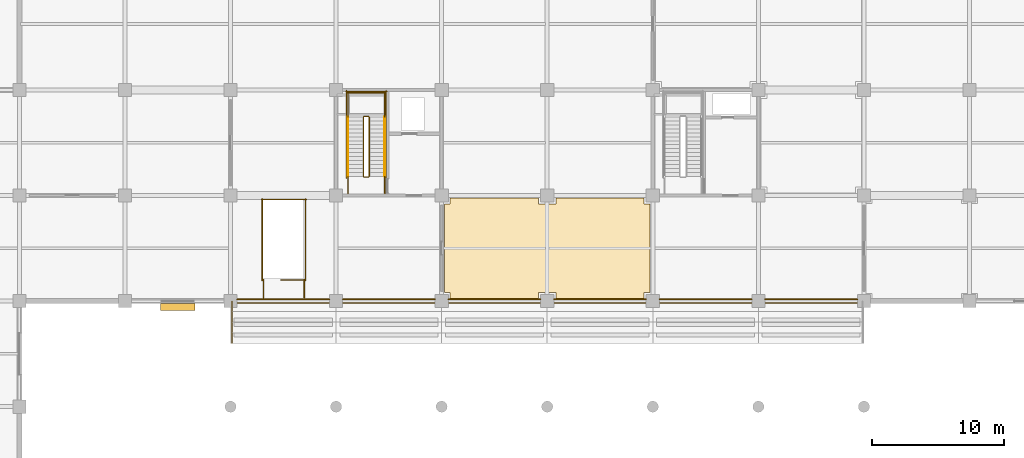
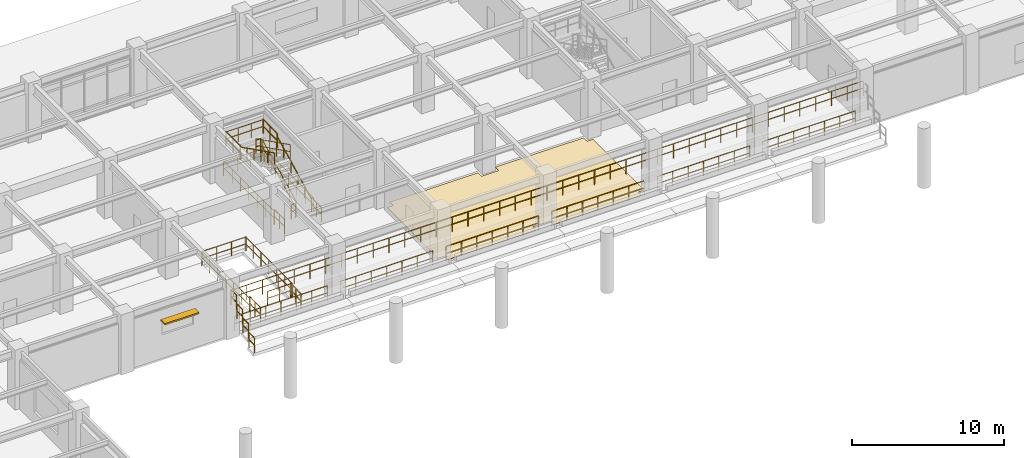
# One storey, part 115 of 117: 31 railings, 1 covering, 1 shading device.
"""IFC4 building model written with IfcOpenShell, lengths in metres."""

from ifc_helpers import new_model, si_unit, direction, frame, origin, origin_2d, place, context, subcontext, project, spatial, polyline, rectangle, circle, outline, extrude, material, layer, layer_set, type_object, element, save


model = new_model("IFC4")

# Units and contexts
model_context = context("Model", 3, precision=1e-05, world=origin(), true_north=direction((0.0, 1.0)))
body_context = subcontext(model_context, "Body", "Model", "MODEL_VIEW")
ifc_project = project(units=[si_unit("LENGTHUNIT", "METRE"), si_unit("AREAUNIT", "SQUARE_METRE"), si_unit("VOLUMEUNIT", "CUBIC_METRE"), si_unit("PLANEANGLEUNIT", "RADIAN"), si_unit("MASSUNIT", "GRAM", prefix="KILO")], contexts=[model_context])

# Site, building, storey
site_placement = place(None, origin())
site = spatial("IfcSite", under=ifc_project, at=site_placement, CompositionType="ELEMENT")
building_placement = place(site_placement, origin())
building = spatial("IfcBuilding", under=site, at=building_placement, Name="Haebicheon Civic Stadium", CompositionType="ELEMENT")
storey_placement = place(building_placement, frame((0.0, 0.0, 4.800048828125)))
storey = spatial("IfcBuildingStorey", under=building, at=storey_placement, Name="L02", CompositionType="ELEMENT", Elevation=4.800048828125)

# Covering
ifc_material_1 = material(Name="Quartz epoxy resin mortar", Category="concrete")
ifc_layer_1 = layer(ifc_material_1, 0.030029296875, Name="Quartz epoxy resin mortar")
ifc_layer_set_1 = layer_set([ifc_layer_1], Name="Quartz epoxy resin mortar")
covering_type = type_object("IfcCoveringType", Name="COV-FLR-EPX", PredefinedType="FLOORING", material=ifc_layer_set_1)
covering_placement = place(storey_placement, origin())
element("IfcCovering", 1, at=covering_placement, inside=storey, type_object=covering_type, material=ifc_layer_set_1, Name="L02 Merchandise Kiosk non-slip floor finish", PredefinedType="FLOORING", context=body_context, shape_type="SweptSolid", body=[
    extrude(outline(polyline([(96.199951171875, 159.35009765625), (96.64990234375, 159.35009765625), (96.64990234375, 159.800048828125), (103.35009765625, 159.800048828125), (103.35009765625, 159.35009765625), (104.64990234375, 159.35009765625), (104.64990234375, 159.800048828125), (111.35009765625, 159.800048828125), (111.35009765625, 159.35009765625), (111.800048828125, 159.35009765625), (111.800048828125, 152.64990234375), (111.35009765625, 152.64990234375), (111.35009765625, 152.199951171875), (104.64990234375, 152.199951171875), (104.64990234375, 152.64990234375), (103.35009765625, 152.64990234375), (103.35009765625, 152.199951171875), (96.64990234375, 152.199951171875), (96.64990234375, 152.64990234375), (96.199951171875, 152.64990234375), (96.199951171875, 159.35009765625)])), origin(), (0.0, 0.0, 1.0), 0.030029296875),
])

# Railings
ifc_material_2 = material(Name="Stainless steel 316 and laminated glass", Category="steel")
railing_type_1 = type_object("IfcRailingType", Name="RL-BAL-1200", PredefinedType="BALUSTRADE", material=ifc_material_2)
for number, where, name in (
    (2, (80.5, 152.139892578125, 0.0), "L02 concourse bowl-edge balustrade 013"),
    (3, (88.5, 152.139892578125, 0.0), "L02 concourse bowl-edge balustrade 015"),
    (4, (96.5, 152.139892578125, 0.0), "L02 concourse bowl-edge balustrade 017"),
    (5, (104.5, 152.139892578125, 0.0), "L02 concourse bowl-edge balustrade 019"),
    (6, (112.5, 152.139892578125, 0.0), "L02 concourse bowl-edge balustrade 021"),
    (7, (120.5, 152.139892578125, 0.0), "L02 concourse bowl-edge balustrade 023"),
):
    element("IfcRailing", number, at=place(storey_placement, frame(where)), inside=storey, type_object=railing_type_1, material=ifc_material_2, Name=name, PredefinedType="BALUSTRADE", context=body_context, shape_type="SweptSolid", body=[
        extrude(circle(Radius=0.02392578125, at=origin_2d()), frame((0.0, 0.0, 1.17578125), z_axis=(1.0, 0.0, 0.0), x_axis=(0.0, 1.0, 0.0)), (0.0, 0.0, 1.0), 7.0),
        extrude(circle(Radius=0.02392578125, at=origin_2d()), frame((0.0, 0.0, 0.60009765625), z_axis=(1.0, 0.0, 0.0), x_axis=(0.0, 1.0, 0.0)), (0.0, 0.0, 1.0), 7.0),
        extrude(circle(Radius=0.02099609375, at=origin_2d()), origin(), (0.0, 0.0, 1.0), 1.15185546875),
        extrude(circle(Radius=0.02099609375, at=origin_2d()), frame((1.166748046875, 0.0, 0.0)), (0.0, 0.0, 1.0), 1.15185546875),
        extrude(circle(Radius=0.02099609375, at=origin_2d()), frame((2.333251953125, 0.0, 0.0)), (0.0, 0.0, 1.0), 1.15185546875),
        extrude(circle(Radius=0.02099609375, at=origin_2d()), frame((3.5, 0.0, 0.0)), (0.0, 0.0, 1.0), 1.15185546875),
        extrude(circle(Radius=0.02099609375, at=origin_2d()), frame((4.666748046875, 0.0, 0.0)), (0.0, 0.0, 1.0), 1.15185546875),
        extrude(circle(Radius=0.02099609375, at=origin_2d()), frame((5.833251953125, 0.0, 0.0)), (0.0, 0.0, 1.0), 1.15185546875),
        extrude(circle(Radius=0.02099609375, at=origin_2d()), frame((7.0, 0.0, 0.0)), (0.0, 0.0, 1.0), 1.15185546875),
    ])
railing_1_placement = place(storey_placement, frame((80.06005859375, 151.8798828125, 2.39990234375)))
element("IfcRailing", 8, at=railing_1_placement, inside=storey, type_object=railing_type_1, material=ifc_material_2, Name="TIER-N-L upper gangway balustrade", PredefinedType="BALUSTRADE", context=body_context, shape_type="SweptSolid", body=[
    extrude(circle(Radius=0.02392578125, at=origin_2d()), frame((0.0, 0.0, 1.17578125), z_axis=(1.0, 0.0, 0.0), x_axis=(0.0, 1.0, 0.0)), (0.0, 0.0, 1.0), 47.8798828125),
    extrude(circle(Radius=0.02392578125, at=origin_2d()), frame((0.0, 0.0, 0.60009765625), z_axis=(1.0, 0.0, 0.0), x_axis=(0.0, 1.0, 0.0)), (0.0, 0.0, 1.0), 47.8798828125),
    extrude(circle(Radius=0.02099609375, at=origin_2d()), origin(), (0.0, 0.0, 1.0), 1.15185546875),
    extrude(circle(Radius=0.02099609375, at=origin_2d()), frame((1.197021484375, 0.0, 0.0)), (0.0, 0.0, 1.0), 1.15185546875),
    extrude(circle(Radius=0.02099609375, at=origin_2d()), frame((2.39404296875, 0.0, 0.0)), (0.0, 0.0, 1.0), 1.15185546875),
    extrude(circle(Radius=0.02099609375, at=origin_2d()), frame((3.591064453125, 0.0, 0.0)), (0.0, 0.0, 1.0), 1.15185546875),
    extrude(circle(Radius=0.02099609375, at=origin_2d()), frame((4.7880859375, 0.0, 0.0)), (0.0, 0.0, 1.0), 1.15185546875),
    extrude(circle(Radius=0.02099609375, at=origin_2d()), frame((5.98486328125, 0.0, 0.0)), (0.0, 0.0, 1.0), 1.15185546875),
    extrude(circle(Radius=0.02099609375, at=origin_2d()), frame((7.181884765625, 0.0, 0.0)), (0.0, 0.0, 1.0), 1.15185546875),
    extrude(circle(Radius=0.02099609375, at=origin_2d()), frame((8.37890625, 0.0, 0.0)), (0.0, 0.0, 1.0), 1.15185546875),
    extrude(circle(Radius=0.02099609375, at=origin_2d()), frame((9.575927734375, 0.0, 0.0)), (0.0, 0.0, 1.0), 1.15185546875),
    extrude(circle(Radius=0.02099609375, at=origin_2d()), frame((10.77294921875, 0.0, 0.0)), (0.0, 0.0, 1.0), 1.15185546875),
    extrude(circle(Radius=0.02099609375, at=origin_2d()), frame((11.969970703125, 0.0, 0.0)), (0.0, 0.0, 1.0), 1.15185546875),
    extrude(circle(Radius=0.02099609375, at=origin_2d()), frame((13.1669921875, 0.0, 0.0)), (0.0, 0.0, 1.0), 1.15185546875),
    extrude(circle(Radius=0.02099609375, at=origin_2d()), frame((14.364013671875, 0.0, 0.0)), (0.0, 0.0, 1.0), 1.15185546875),
    extrude(circle(Radius=0.02099609375, at=origin_2d()), frame((15.56103515625, 0.0, 0.0)), (0.0, 0.0, 1.0), 1.15185546875),
    extrude(circle(Radius=0.02099609375, at=origin_2d()), frame((16.758056640625, 0.0, 0.0)), (0.0, 0.0, 1.0), 1.15185546875),
    extrude(circle(Radius=0.02099609375, at=origin_2d()), frame((17.955078125, 0.0, 0.0)), (0.0, 0.0, 1.0), 1.15185546875),
    extrude(circle(Radius=0.02099609375, at=origin_2d()), frame((19.15185546875, 0.0, 0.0)), (0.0, 0.0, 1.0), 1.15185546875),
    extrude(circle(Radius=0.02099609375, at=origin_2d()), frame((20.348876953125, 0.0, 0.0)), (0.0, 0.0, 1.0), 1.15185546875),
    extrude(circle(Radius=0.02099609375, at=origin_2d()), frame((21.5458984375, 0.0, 0.0)), (0.0, 0.0, 1.0), 1.15185546875),
    extrude(circle(Radius=0.02099609375, at=origin_2d()), frame((22.742919921875, 0.0, 0.0)), (0.0, 0.0, 1.0), 1.15185546875),
    extrude(circle(Radius=0.02099609375, at=origin_2d()), frame((23.93994140625, 0.0, 0.0)), (0.0, 0.0, 1.0), 1.15185546875),
    extrude(circle(Radius=0.02099609375, at=origin_2d()), frame((25.136962890625, 0.0, 0.0)), (0.0, 0.0, 1.0), 1.15185546875),
    extrude(circle(Radius=0.02099609375, at=origin_2d()), frame((26.333984375, 0.0, 0.0)), (0.0, 0.0, 1.0), 1.15185546875),
    extrude(circle(Radius=0.02099609375, at=origin_2d()), frame((27.531005859375, 0.0, 0.0)), (0.0, 0.0, 1.0), 1.15185546875),
    extrude(circle(Radius=0.02099609375, at=origin_2d()), frame((28.72802734375, 0.0, 0.0)), (0.0, 0.0, 1.0), 1.15185546875),
    extrude(circle(Radius=0.02099609375, at=origin_2d()), frame((29.9248046875, 0.0, 0.0)), (0.0, 0.0, 1.0), 1.15185546875),
    extrude(circle(Radius=0.02099609375, at=origin_2d()), frame((31.121826171875, 0.0, 0.0)), (0.0, 0.0, 1.0), 1.15185546875),
    extrude(circle(Radius=0.02099609375, at=origin_2d()), frame((32.31884765625, 0.0, 0.0)), (0.0, 0.0, 1.0), 1.15185546875),
    extrude(circle(Radius=0.02099609375, at=origin_2d()), frame((33.515869140625, 0.0, 0.0)), (0.0, 0.0, 1.0), 1.15185546875),
    extrude(circle(Radius=0.02099609375, at=origin_2d()), frame((34.712890625, 0.0, 0.0)), (0.0, 0.0, 1.0), 1.15185546875),
    extrude(circle(Radius=0.02099609375, at=origin_2d()), frame((35.909912109375, 0.0, 0.0)), (0.0, 0.0, 1.0), 1.15185546875),
    extrude(circle(Radius=0.02099609375, at=origin_2d()), frame((37.10693359375, 0.0, 0.0)), (0.0, 0.0, 1.0), 1.15185546875),
    extrude(circle(Radius=0.02099609375, at=origin_2d()), frame((38.303955078125, 0.0, 0.0)), (0.0, 0.0, 1.0), 1.15185546875),
    extrude(circle(Radius=0.02099609375, at=origin_2d()), frame((39.5009765625, 0.0, 0.0)), (0.0, 0.0, 1.0), 1.15185546875),
    extrude(circle(Radius=0.02099609375, at=origin_2d()), frame((40.697998046875, 0.0, 0.0)), (0.0, 0.0, 1.0), 1.15185546875),
    extrude(circle(Radius=0.02099609375, at=origin_2d()), frame((41.89501953125, 0.0, 0.0)), (0.0, 0.0, 1.0), 1.15185546875),
    extrude(circle(Radius=0.02099609375, at=origin_2d()), frame((43.091796875, 0.0, 0.0)), (0.0, 0.0, 1.0), 1.15185546875),
    extrude(circle(Radius=0.02099609375, at=origin_2d()), frame((44.288818359375, 0.0, 0.0)), (0.0, 0.0, 1.0), 1.15185546875),
    extrude(circle(Radius=0.02099609375, at=origin_2d()), frame((45.48583984375, 0.0, 0.0)), (0.0, 0.0, 1.0), 1.15185546875),
    extrude(circle(Radius=0.02099609375, at=origin_2d()), frame((46.682861328125, 0.0, 0.0)), (0.0, 0.0, 1.0), 1.15185546875),
    extrude(circle(Radius=0.02099609375, at=origin_2d()), frame((47.8798828125, 0.0, 0.0)), (0.0, 0.0, 1.0), 1.15185546875),
])
railing_2_placement = place(storey_placement, frame((80.10009765625, 148.840087890625, 0.39990234375)))
element("IfcRailing", 9, at=railing_2_placement, inside=storey, type_object=railing_type_1, material=ifc_material_2, Name="TIER-N-L end-aisle side guard W.7", PredefinedType="BALUSTRADE", context=body_context, shape_type="SweptSolid", body=[
    extrude(circle(Radius=0.02392578125, at=origin_2d()), frame((0.0, 0.0, 1.17578125), z_axis=(0.0, 1.0, 0.0), x_axis=(-1.0, 0.0, 0.0)), (0.0, 0.0, 1.0), 0.719970703125),
    extrude(circle(Radius=0.02392578125, at=origin_2d()), frame((0.0, 0.0, 0.60009765625), z_axis=(0.0, 1.0, 0.0), x_axis=(-1.0, 0.0, 0.0)), (0.0, 0.0, 1.0), 0.719970703125),
    extrude(circle(Radius=0.02099609375, at=origin_2d()), origin(), (0.0, 0.0, 1.0), 1.15185546875),
    extrude(circle(Radius=0.02099609375, at=origin_2d()), frame((0.0, 0.719970703125, 0.0)), (0.0, 0.0, 1.0), 1.15185546875),
])
railing_3_placement = place(storey_placement, frame((80.10009765625, 149.639892578125, 1.06689453125)))
element("IfcRailing", 10, at=railing_3_placement, inside=storey, type_object=railing_type_1, material=ifc_material_2, Name="TIER-N-L end-aisle side guard W.8", PredefinedType="BALUSTRADE", context=body_context, shape_type="SweptSolid", body=[
    extrude(circle(Radius=0.02392578125, at=origin_2d()), frame((0.0, 0.0, 1.17578125), z_axis=(0.0, 1.0, 0.0), x_axis=(-1.0, 0.0, 0.0)), (0.0, 0.0, 1.0), 0.72021484375),
    extrude(circle(Radius=0.02392578125, at=origin_2d()), frame((0.0, 0.0, 0.60009765625), z_axis=(0.0, 1.0, 0.0), x_axis=(-1.0, 0.0, 0.0)), (0.0, 0.0, 1.0), 0.72021484375),
    extrude(circle(Radius=0.02099609375, at=origin_2d()), origin(), (0.0, 0.0, 1.0), 1.15185546875),
    extrude(circle(Radius=0.02099609375, at=origin_2d()), frame((0.0, 0.72021484375, 0.0)), (0.0, 0.0, 1.0), 1.15185546875),
])
for number, where, name in (
    (11, (80.10009765625, 150.43994140625, 1.73291015625), "TIER-N-L end-aisle side guard W.9"),
    (12, (80.10009765625, 151.239990234375, 2.39990234375), "TIER-N-L end-aisle side guard W.10"),
):
    element("IfcRailing", number, at=place(storey_placement, frame(where)), inside=storey, type_object=railing_type_1, material=ifc_material_2, Name=name, PredefinedType="BALUSTRADE", context=body_context, shape_type="SweptSolid", body=[
        extrude(circle(Radius=0.02392578125, at=origin_2d()), frame((0.0, 0.0, 1.17578125), z_axis=(0.0, 1.0, 0.0), x_axis=(-1.0, 0.0, 0.0)), (0.0, 0.0, 1.0), 0.719970703125),
        extrude(circle(Radius=0.02392578125, at=origin_2d()), frame((0.0, 0.0, 0.60009765625), z_axis=(0.0, 1.0, 0.0), x_axis=(-1.0, 0.0, 0.0)), (0.0, 0.0, 1.0), 0.719970703125),
        extrude(circle(Radius=0.02099609375, at=origin_2d()), origin(), (0.0, 0.0, 1.0), 1.15185546875),
        extrude(circle(Radius=0.02099609375, at=origin_2d()), frame((0.0, 0.719970703125, 0.0)), (0.0, 0.0, 1.0), 1.15185546875),
    ])
ifc_material_3 = material(Name="Galvanised painted steel SM355", Category="steel")
railing_type_2 = type_object("IfcRailingType", Name="RL-GRD-1150", PredefinedType="GUARDRAIL", material=ifc_material_3)
railing_4_placement = place(storey_placement, frame((90.510009765625, 161.449951171875, 0.14990234375)))
element("IfcRailing", 13, at=railing_4_placement, inside=storey, type_object=railing_type_2, material=ifc_material_3, Name="L02 ST-08 stair guard 1", PredefinedType="GUARDRAIL", context=body_context, shape_type="SweptSolid", body=[
    extrude(circle(Radius=0.02392578125, at=origin_2d()), frame((0.0, 0.0, 1.1259765625), z_axis=(0.0, 0.894427191, 0.4472135955), x_axis=(-1.0, 0.0, 0.0)), (0.0, 0.0, 1.0), 5.03125),
    extrude(circle(Radius=0.02392578125, at=origin_2d()), frame((0.0, 0.0, 0.574951171875), z_axis=(0.0, 0.894427191, 0.4472135955), x_axis=(-1.0, 0.0, 0.0)), (0.0, 0.0, 1.0), 5.03125),
    extrude(circle(Radius=0.02099609375, at=origin_2d()), origin(), (0.0, 0.0, 1.0), 1.101806640625),
    extrude(circle(Radius=0.02099609375, at=origin_2d()), frame((0.0, 0.89990234375, 0.449951171875)), (0.0, 0.0, 1.0), 1.101806640625),
    extrude(circle(Radius=0.02099609375, at=origin_2d()), frame((0.0, 1.800048828125, 0.89990234375)), (0.0, 0.0, 1.0), 1.101806640625),
    extrude(circle(Radius=0.02099609375, at=origin_2d()), frame((0.0, 2.699951171875, 1.35009765625)), (0.0, 0.0, 1.0), 1.101806640625),
    extrude(circle(Radius=0.02099609375, at=origin_2d()), frame((0.0, 3.60009765625, 1.800048828125)), (0.0, 0.0, 1.0), 1.101806640625),
    extrude(circle(Radius=0.02099609375, at=origin_2d()), frame((0.0, 4.5, 2.25)), (0.0, 0.0, 1.0), 1.101806640625),
])
railing_5_placement = place(storey_placement, frame((90.4599609375, 166.0, 2.39990234375)))
element("IfcRailing", 14, at=railing_5_placement, inside=storey, type_object=railing_type_2, material=ifc_material_3, Name="L02 ST-08 stair guard 2", PredefinedType="GUARDRAIL", context=body_context, shape_type="SweptSolid", body=[
    extrude(circle(Radius=0.02392578125, at=origin_2d()), frame((0.0, 0.0, 1.1259765625), z_axis=(-1.0, 0.0, 0.0), x_axis=(0.0, -1.0, 0.0)), (0.0, 0.0, 1.0), 0.33984375),
    extrude(circle(Radius=0.02392578125, at=origin_2d()), frame((0.0, 0.0, 0.574951171875), z_axis=(-1.0, 0.0, 0.0), x_axis=(0.0, -1.0, 0.0)), (0.0, 0.0, 1.0), 0.33984375),
    extrude(circle(Radius=0.02099609375, at=origin_2d()), origin(), (0.0, 0.0, 1.0), 1.101806640625),
    extrude(circle(Radius=0.02099609375, at=origin_2d()), frame((-0.33984375, 0.0, 0.0)), (0.0, 0.0, 1.0), 1.101806640625),
])
for number, where, name in (
    (15, (91.68994140625, 165.949951171875, 2.39990234375), "L02 ST-08 stair guard 3"),
    (16, (88.889892578125, 165.949951171875, 2.39990234375), "L02 ST-08 stair guard 4"),
):
    element("IfcRailing", number, at=place(storey_placement, frame(where)), inside=storey, type_object=railing_type_2, material=ifc_material_3, Name=name, PredefinedType="GUARDRAIL", context=body_context, shape_type="SweptSolid", body=[
        extrude(circle(Radius=0.02392578125, at=origin_2d()), frame((0.0, 0.0, 1.1259765625), z_axis=(0.0, 1.0, 0.0), x_axis=(-1.0, 0.0, 0.0)), (0.0, 0.0, 1.0), 1.89013671875),
        extrude(circle(Radius=0.02392578125, at=origin_2d()), frame((0.0, 0.0, 0.574951171875), z_axis=(0.0, 1.0, 0.0), x_axis=(-1.0, 0.0, 0.0)), (0.0, 0.0, 1.0), 1.89013671875),
        extrude(circle(Radius=0.02099609375, at=origin_2d()), origin(), (0.0, 0.0, 1.0), 1.101806640625),
        extrude(circle(Radius=0.02099609375, at=origin_2d()), frame((0.0, 0.945068359375, 0.0)), (0.0, 0.0, 1.0), 1.101806640625),
        extrude(circle(Radius=0.02099609375, at=origin_2d()), frame((0.0, 1.89013671875, 0.0)), (0.0, 0.0, 1.0), 1.101806640625),
    ])
railing_6_placement = place(storey_placement, frame((91.739990234375, 167.7900390625, 2.39990234375)))
element("IfcRailing", 17, at=railing_6_placement, inside=storey, type_object=railing_type_2, material=ifc_material_3, Name="L02 ST-08 stair guard 5", PredefinedType="GUARDRAIL", context=body_context, shape_type="SweptSolid", body=[
    extrude(circle(Radius=0.02392578125, at=origin_2d()), frame((0.0, 0.0, 1.1259765625), z_axis=(-1.0, 0.0, 0.0), x_axis=(0.0, -1.0, 0.0)), (0.0, 0.0, 1.0), 2.89990234375),
    extrude(circle(Radius=0.02392578125, at=origin_2d()), frame((0.0, 0.0, 0.574951171875), z_axis=(-1.0, 0.0, 0.0), x_axis=(0.0, -1.0, 0.0)), (0.0, 0.0, 1.0), 2.89990234375),
    extrude(circle(Radius=0.02099609375, at=origin_2d()), origin(), (0.0, 0.0, 1.0), 1.101806640625),
    extrude(circle(Radius=0.02099609375, at=origin_2d()), frame((-0.966552734375, 0.0, 0.0)), (0.0, 0.0, 1.0), 1.101806640625),
    extrude(circle(Radius=0.02099609375, at=origin_2d()), frame((-1.933349609375, 0.0, 0.0)), (0.0, 0.0, 1.0), 1.101806640625),
    extrude(circle(Radius=0.02099609375, at=origin_2d()), frame((-2.89990234375, 0.0, 0.0)), (0.0, 0.0, 1.0), 1.101806640625),
])
railing_7_placement = place(storey_placement, frame((90.070068359375, 165.949951171875, 2.550048828125)))
element("IfcRailing", 18, at=railing_7_placement, inside=storey, type_object=railing_type_2, material=ifc_material_3, Name="L02 ST-08 stair guard 6", PredefinedType="GUARDRAIL", context=body_context, shape_type="SweptSolid", body=[
    extrude(circle(Radius=0.02392578125, at=origin_2d()), frame((0.0, 0.0, 1.1259765625), z_axis=(0.0, -0.894427191, 0.4472135955), x_axis=(1.0, 0.0, 0.0)), (0.0, 0.0, 1.0), 5.03125),
    extrude(circle(Radius=0.02392578125, at=origin_2d()), frame((0.0, 0.0, 0.574951171875), z_axis=(0.0, -0.894427191, 0.4472135955), x_axis=(1.0, 0.0, 0.0)), (0.0, 0.0, 1.0), 5.03125),
    extrude(circle(Radius=0.02099609375, at=origin_2d()), origin(), (0.0, 0.0, 1.0), 1.101806640625),
    extrude(circle(Radius=0.02099609375, at=origin_2d()), frame((0.0, -0.89990234375, 0.449951171875)), (0.0, 0.0, 1.0), 1.101806640625),
    extrude(circle(Radius=0.02099609375, at=origin_2d()), frame((0.0, -1.800048828125, 0.89990234375)), (0.0, 0.0, 1.0), 1.101806640625),
    extrude(circle(Radius=0.02099609375, at=origin_2d()), frame((0.0, -2.699951171875, 1.35009765625)), (0.0, 0.0, 1.0), 1.101806640625),
    extrude(circle(Radius=0.02099609375, at=origin_2d()), frame((0.0, -3.60009765625, 1.800048828125)), (0.0, 0.0, 1.0), 1.101806640625),
    extrude(circle(Radius=0.02099609375, at=origin_2d()), frame((0.0, -4.5, 2.25)), (0.0, 0.0, 1.0), 1.101806640625),
])
railing_8_placement = place(storey_placement, frame((90.4599609375, 161.39990234375, 0.0)))
element("IfcRailing", 19, at=railing_8_placement, inside=storey, type_object=railing_type_2, material=ifc_material_3, Name="L02 ST-08 stair guard 7", PredefinedType="GUARDRAIL", context=body_context, shape_type="SweptSolid", body=[
    extrude(circle(Radius=0.02392578125, at=origin_2d()), frame((0.0, 0.0, 1.1259765625), z_axis=(-1.0, 0.0, 0.0), x_axis=(0.0, -1.0, 0.0)), (0.0, 0.0, 1.0), 0.33984375),
    extrude(circle(Radius=0.02392578125, at=origin_2d()), frame((0.0, 0.0, 0.574951171875), z_axis=(-1.0, 0.0, 0.0), x_axis=(0.0, -1.0, 0.0)), (0.0, 0.0, 1.0), 0.33984375),
    extrude(circle(Radius=0.02099609375, at=origin_2d()), origin(), (0.0, 0.0, 1.0), 1.101806640625),
    extrude(circle(Radius=0.02099609375, at=origin_2d()), frame((-0.33984375, 0.0, 0.0)), (0.0, 0.0, 1.0), 1.101806640625),
])
for number, where, name in (
    (20, (91.68994140625, 160.159912109375, 0.0), "L02 ST-08 stair guard 8"),
    (21, (88.889892578125, 160.159912109375, 0.0), "L02 ST-08 stair guard 9"),
):
    element("IfcRailing", number, at=place(storey_placement, frame(where)), inside=storey, type_object=railing_type_2, material=ifc_material_3, Name=name, PredefinedType="GUARDRAIL", context=body_context, shape_type="SweptSolid", body=[
        extrude(circle(Radius=0.02392578125, at=origin_2d()), frame((0.0, 0.0, 1.1259765625), z_axis=(0.0, 1.0, 0.0), x_axis=(-1.0, 0.0, 0.0)), (0.0, 0.0, 1.0), 1.2900390625),
        extrude(circle(Radius=0.02392578125, at=origin_2d()), frame((0.0, 0.0, 0.574951171875), z_axis=(0.0, 1.0, 0.0), x_axis=(-1.0, 0.0, 0.0)), (0.0, 0.0, 1.0), 1.2900390625),
        extrude(circle(Radius=0.02099609375, at=origin_2d()), origin(), (0.0, 0.0, 1.0), 1.101806640625),
        extrude(circle(Radius=0.02099609375, at=origin_2d()), frame((0.0, 0.64501953125, 0.0)), (0.0, 0.0, 1.0), 1.101806640625),
        extrude(circle(Radius=0.02099609375, at=origin_2d()), frame((0.0, 1.2900390625, 0.0)), (0.0, 0.0, 1.0), 1.101806640625),
    ])
for number, where, name in (
    (22, (91.7900390625, 161.35009765625, 0.0), "L02 ST-08 stair guard 10"),
    (23, (88.7900390625, 161.35009765625, 0.0), "L02 ST-08 stair guard 11"),
):
    element("IfcRailing", number, at=place(storey_placement, frame(where)), inside=storey, type_object=railing_type_2, material=ifc_material_3, Name=name, PredefinedType="GUARDRAIL", context=body_context, shape_type="SweptSolid", body=[
        extrude(circle(Radius=0.02392578125, at=origin_2d()), frame((0.0, 0.0, 1.1259765625), z_axis=(0.0, 1.0, 0.0), x_axis=(-1.0, 0.0, 0.0)), (0.0, 0.0, 1.0), 6.58984375),
        extrude(circle(Radius=0.02392578125, at=origin_2d()), frame((0.0, 0.0, 0.574951171875), z_axis=(0.0, 1.0, 0.0), x_axis=(-1.0, 0.0, 0.0)), (0.0, 0.0, 1.0), 6.58984375),
        extrude(circle(Radius=0.02099609375, at=origin_2d()), origin(), (0.0, 0.0, 1.0), 1.101806640625),
        extrude(circle(Radius=0.02099609375, at=origin_2d()), frame((0.0, 1.098388671875, 0.0)), (0.0, 0.0, 1.0), 1.101806640625),
        extrude(circle(Radius=0.02099609375, at=origin_2d()), frame((0.0, 2.196533203125, 0.0)), (0.0, 0.0, 1.0), 1.101806640625),
        extrude(circle(Radius=0.02099609375, at=origin_2d()), frame((0.0, 3.294921875, 0.0)), (0.0, 0.0, 1.0), 1.101806640625),
        extrude(circle(Radius=0.02099609375, at=origin_2d()), frame((0.0, 4.393310546875, 0.0)), (0.0, 0.0, 1.0), 1.101806640625),
        extrude(circle(Radius=0.02099609375, at=origin_2d()), frame((0.0, 5.491455078125, 0.0)), (0.0, 0.0, 1.0), 1.101806640625),
        extrude(circle(Radius=0.02099609375, at=origin_2d()), frame((0.0, 6.58984375, 0.0)), (0.0, 0.0, 1.0), 1.101806640625),
    ])
railing_9_placement = place(storey_placement, frame((91.840087890625, 167.889892578125, 0.0)))
element("IfcRailing", 24, at=railing_9_placement, inside=storey, type_object=railing_type_2, material=ifc_material_3, Name="L02 ST-08 stair guard 12", PredefinedType="GUARDRAIL", context=body_context, shape_type="SweptSolid", body=[
    extrude(circle(Radius=0.02392578125, at=origin_2d()), frame((0.0, 0.0, 1.1259765625), z_axis=(-1.0, 0.0, 0.0), x_axis=(0.0, -1.0, 0.0)), (0.0, 0.0, 1.0), 3.10009765625),
    extrude(circle(Radius=0.02392578125, at=origin_2d()), frame((0.0, 0.0, 0.574951171875), z_axis=(-1.0, 0.0, 0.0), x_axis=(0.0, -1.0, 0.0)), (0.0, 0.0, 1.0), 3.10009765625),
    extrude(circle(Radius=0.02099609375, at=origin_2d()), origin(), (0.0, 0.0, 1.0), 1.101806640625),
    extrude(circle(Radius=0.02099609375, at=origin_2d()), frame((-1.033447265625, 0.0, 0.0)), (0.0, 0.0, 1.0), 1.101806640625),
    extrude(circle(Radius=0.02099609375, at=origin_2d()), frame((-2.066650390625, 0.0, 0.0)), (0.0, 0.0, 1.0), 1.101806640625),
    extrude(circle(Radius=0.02099609375, at=origin_2d()), frame((-3.10009765625, 0.0, 0.0)), (0.0, 0.0, 1.0), 1.101806640625),
])
railing_10_placement = place(storey_placement, frame((85.639892578125, 153.60009765625, 0.0)))
element("IfcRailing", 25, at=railing_10_placement, inside=storey, type_object=railing_type_2, material=ifc_material_3, Name="L02 VM-09 top well guard 1", PredefinedType="GUARDRAIL", context=body_context, shape_type="SweptSolid", body=[
    extrude(circle(Radius=0.02392578125, at=origin_2d()), frame((0.0, 0.0, 1.1259765625), z_axis=(-1.0, 0.0, 0.0), x_axis=(0.0, -1.0, 0.0)), (0.0, 0.0, 1.0), 1.81982421875),
    extrude(circle(Radius=0.02392578125, at=origin_2d()), frame((0.0, 0.0, 0.574951171875), z_axis=(-1.0, 0.0, 0.0), x_axis=(0.0, -1.0, 0.0)), (0.0, 0.0, 1.0), 1.81982421875),
    extrude(circle(Radius=0.02099609375, at=origin_2d()), origin(), (0.0, 0.0, 1.0), 1.101806640625),
    extrude(circle(Radius=0.02099609375, at=origin_2d()), frame((-0.909912109375, 0.0, 0.0)), (0.0, 0.0, 1.0), 1.101806640625),
    extrude(circle(Radius=0.02099609375, at=origin_2d()), frame((-1.81982421875, 0.0, 0.0)), (0.0, 0.0, 1.0), 1.101806640625),
])
for number, where, name in (
    (26, (85.68994140625, 153.550048828125, 0.0), "L02 VM-09 top well guard 2"),
    (27, (82.409912109375, 153.550048828125, 0.0), "L02 VM-09 top well guard 3"),
):
    element("IfcRailing", number, at=place(storey_placement, frame(where)), inside=storey, type_object=railing_type_2, material=ifc_material_3, Name=name, PredefinedType="GUARDRAIL", context=body_context, shape_type="SweptSolid", body=[
        extrude(circle(Radius=0.02392578125, at=origin_2d()), frame((0.0, 0.0, 1.1259765625), z_axis=(0.0, 1.0, 0.0), x_axis=(-1.0, 0.0, 0.0)), (0.0, 0.0, 1.0), 6.199951171875),
        extrude(circle(Radius=0.02392578125, at=origin_2d()), frame((0.0, 0.0, 0.574951171875), z_axis=(0.0, 1.0, 0.0), x_axis=(-1.0, 0.0, 0.0)), (0.0, 0.0, 1.0), 6.199951171875),
        extrude(circle(Radius=0.02099609375, at=origin_2d()), origin(), (0.0, 0.0, 1.0), 1.101806640625),
        extrude(circle(Radius=0.02099609375, at=origin_2d()), frame((0.0, 1.033203125, 0.0)), (0.0, 0.0, 1.0), 1.101806640625),
        extrude(circle(Radius=0.02099609375, at=origin_2d()), frame((0.0, 2.066650390625, 0.0)), (0.0, 0.0, 1.0), 1.101806640625),
        extrude(circle(Radius=0.02099609375, at=origin_2d()), frame((0.0, 3.10009765625, 0.0)), (0.0, 0.0, 1.0), 1.101806640625),
        extrude(circle(Radius=0.02099609375, at=origin_2d()), frame((0.0, 4.13330078125, 0.0)), (0.0, 0.0, 1.0), 1.101806640625),
        extrude(circle(Radius=0.02099609375, at=origin_2d()), frame((0.0, 5.16650390625, 0.0)), (0.0, 0.0, 1.0), 1.101806640625),
        extrude(circle(Radius=0.02099609375, at=origin_2d()), frame((0.0, 6.199951171875, 0.0)), (0.0, 0.0, 1.0), 1.101806640625),
    ])
railing_11_placement = place(storey_placement, frame((85.739990234375, 159.699951171875, 0.0)))
element("IfcRailing", 28, at=railing_11_placement, inside=storey, type_object=railing_type_2, material=ifc_material_3, Name="L02 VM-09 top well guard 4", PredefinedType="GUARDRAIL", context=body_context, shape_type="SweptSolid", body=[
    extrude(circle(Radius=0.02392578125, at=origin_2d()), frame((0.0, 0.0, 1.1259765625), z_axis=(-1.0, 0.0, 0.0), x_axis=(0.0, -1.0, 0.0)), (0.0, 0.0, 1.0), 3.3798828125),
    extrude(circle(Radius=0.02392578125, at=origin_2d()), frame((0.0, 0.0, 0.574951171875), z_axis=(-1.0, 0.0, 0.0), x_axis=(0.0, -1.0, 0.0)), (0.0, 0.0, 1.0), 3.3798828125),
    extrude(circle(Radius=0.02099609375, at=origin_2d()), origin(), (0.0, 0.0, 1.0), 1.101806640625),
    extrude(circle(Radius=0.02099609375, at=origin_2d()), frame((-1.126708984375, 0.0, 0.0)), (0.0, 0.0, 1.0), 1.101806640625),
    extrude(circle(Radius=0.02099609375, at=origin_2d()), frame((-2.253173828125, 0.0, 0.0)), (0.0, 0.0, 1.0), 1.101806640625),
    extrude(circle(Radius=0.02099609375, at=origin_2d()), frame((-3.3798828125, 0.0, 0.0)), (0.0, 0.0, 1.0), 1.101806640625),
])
for number, where, name in (
    (29, (85.590087890625, 152.25, 0.0), "L02 VM-09 top well guard 5"),
    (30, (82.510009765625, 152.25, 0.0), "L02 VM-09 top well guard 6"),
):
    element("IfcRailing", number, at=place(storey_placement, frame(where)), inside=storey, type_object=railing_type_2, material=ifc_material_3, Name=name, PredefinedType="GUARDRAIL", context=body_context, shape_type="SweptSolid", body=[
        extrude(circle(Radius=0.02392578125, at=origin_2d()), frame((0.0, 0.0, 1.1259765625), z_axis=(0.0, 1.0, 0.0), x_axis=(-1.0, 0.0, 0.0)), (0.0, 0.0, 1.0), 1.39990234375),
        extrude(circle(Radius=0.02392578125, at=origin_2d()), frame((0.0, 0.0, 0.574951171875), z_axis=(0.0, 1.0, 0.0), x_axis=(-1.0, 0.0, 0.0)), (0.0, 0.0, 1.0), 1.39990234375),
        extrude(circle(Radius=0.02099609375, at=origin_2d()), origin(), (0.0, 0.0, 1.0), 1.101806640625),
        extrude(circle(Radius=0.02099609375, at=origin_2d()), frame((0.0, 0.699951171875, 0.0)), (0.0, 0.0, 1.0), 1.101806640625),
        extrude(circle(Radius=0.02099609375, at=origin_2d()), frame((0.0, 1.39990234375, 0.0)), (0.0, 0.0, 1.0), 1.101806640625),
    ])
ifc_material_4 = material(Name="Stainless steel 316", Category="steel")
railing_type_3 = type_object("IfcRailingType", Name="RL-HND-900", PredefinedType="HANDRAIL", material=ifc_material_4)
railing_12_placement = place(storey_placement, frame((91.68994140625, 161.449951171875, 0.14990234375)))
element("IfcRailing", 31, at=railing_12_placement, inside=storey, type_object=railing_type_3, material=ifc_material_4, Name="L02 ST-08 stair handrail 1", PredefinedType="HANDRAIL", context=body_context, shape_type="SweptSolid", body=[
    extrude(circle(Radius=0.02392578125, at=origin_2d()), frame((0.0, 0.0, 0.8759765625), z_axis=(0.0, 0.894427191, 0.4472135955), x_axis=(-1.0, 0.0, 0.0)), (0.0, 0.0, 1.0), 5.03125),
    extrude(circle(Radius=0.02099609375, at=origin_2d()), origin(), (0.0, 0.0, 1.0), 0.851806640625),
    extrude(circle(Radius=0.02099609375, at=origin_2d()), frame((0.0, 0.89990234375, 0.449951171875)), (0.0, 0.0, 1.0), 0.851806640625),
    extrude(circle(Radius=0.02099609375, at=origin_2d()), frame((0.0, 1.800048828125, 0.89990234375)), (0.0, 0.0, 1.0), 0.851806640625),
    extrude(circle(Radius=0.02099609375, at=origin_2d()), frame((0.0, 2.699951171875, 1.35009765625)), (0.0, 0.0, 1.0), 0.851806640625),
    extrude(circle(Radius=0.02099609375, at=origin_2d()), frame((0.0, 3.60009765625, 1.800048828125)), (0.0, 0.0, 1.0), 0.851806640625),
    extrude(circle(Radius=0.02099609375, at=origin_2d()), frame((0.0, 4.5, 2.25)), (0.0, 0.0, 1.0), 0.851806640625),
])
railing_13_placement = place(storey_placement, frame((88.889892578125, 165.949951171875, 2.550048828125)))
element("IfcRailing", 32, at=railing_13_placement, inside=storey, type_object=railing_type_3, material=ifc_material_4, Name="L02 ST-08 stair handrail 2", PredefinedType="HANDRAIL", context=body_context, shape_type="SweptSolid", body=[
    extrude(circle(Radius=0.02392578125, at=origin_2d()), frame((0.0, 0.0, 0.8759765625), z_axis=(0.0, -0.894427191, 0.4472135955), x_axis=(1.0, 0.0, 0.0)), (0.0, 0.0, 1.0), 5.03125),
    extrude(circle(Radius=0.02099609375, at=origin_2d()), origin(), (0.0, 0.0, 1.0), 0.851806640625),
    extrude(circle(Radius=0.02099609375, at=origin_2d()), frame((0.0, -0.89990234375, 0.449951171875)), (0.0, 0.0, 1.0), 0.851806640625),
    extrude(circle(Radius=0.02099609375, at=origin_2d()), frame((0.0, -1.800048828125, 0.89990234375)), (0.0, 0.0, 1.0), 0.851806640625),
    extrude(circle(Radius=0.02099609375, at=origin_2d()), frame((0.0, -2.699951171875, 1.35009765625)), (0.0, 0.0, 1.0), 0.851806640625),
    extrude(circle(Radius=0.02099609375, at=origin_2d()), frame((0.0, -3.60009765625, 1.800048828125)), (0.0, 0.0, 1.0), 0.851806640625),
    extrude(circle(Radius=0.02099609375, at=origin_2d()), frame((0.0, -4.5, 2.25)), (0.0, 0.0, 1.0), 0.851806640625),
])

# Shading device
ifc_material_5 = material(Name="Anodised aluminium 6063-T6", Category="aluminium")
ifc_layer_2 = layer(ifc_material_5, 0.1201171875, Name="Anodised aluminium 6063-T6")
ifc_layer_set_2 = layer_set([ifc_layer_2], Name="Anodised aluminium 6063-T6")
shading_device_type = type_object("IfcShadingDeviceType", Name="SHD-ALU-LVR", PredefinedType="USERDEFINED", material=ifc_layer_set_2)
shading_device_placement = place(storey_placement, frame((76.0, 151.554931640625, 3.019775390625), z_axis=(0.0, 0.0, 1.0), x_axis=(1.0, 0.0, 0.0)))
element("IfcShadingDevice", 33, at=shading_device_placement, inside=storey, type_object=shading_device_type, material=ifc_layer_set_2, Name="L02 window sunshade louvre hood 16", ObjectType="LOUVRE", PredefinedType="USERDEFINED", context=body_context, shape_type="SweptSolid", body=[
    extrude(rectangle(XDim=2.60009765625, YDim=0.550048828125, at=origin_2d()), origin(), (0.0, 0.0, 1.0), 0.1201171875),
])

save(model, "model.ifc")
